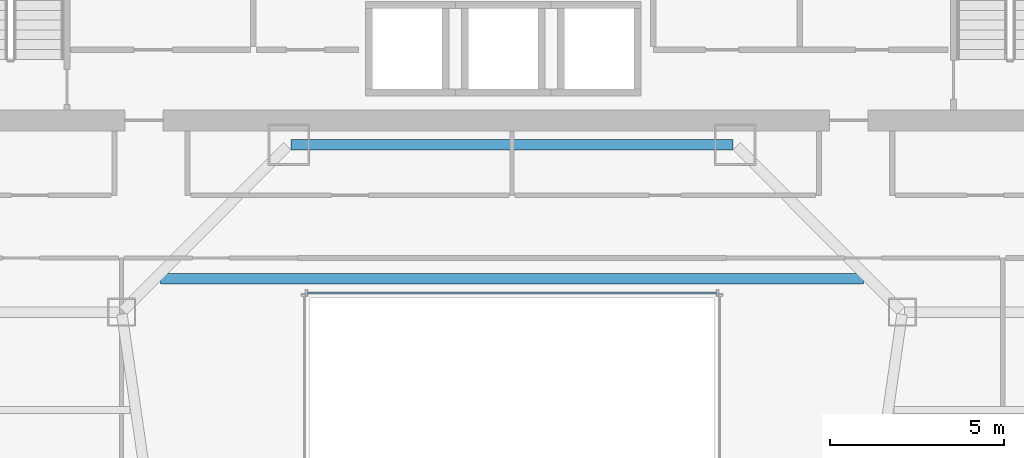
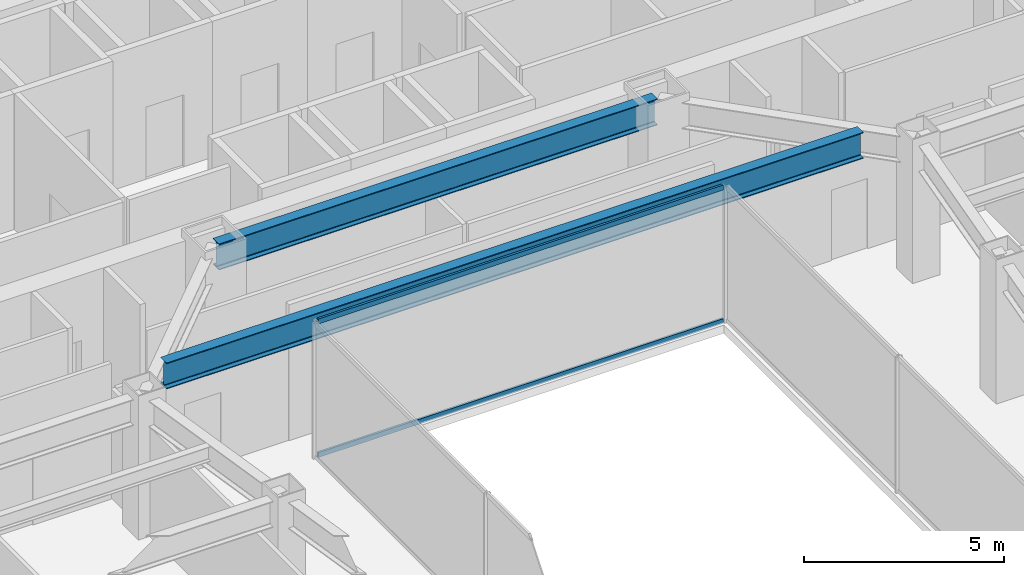
# One storey, part 25 of 47: 2 beams, 2 members, 1 element without a shape of its own.
"""IFC4 building model written with IfcOpenShell, lengths in metres."""

from ifc_helpers import new_model, si_unit, direction, frame, origin, origin_2d, place, context, subcontext, project, spatial, hollow_rectangle, i_section, extrude, material, material_profile, profile_set, type_object, element, aggregate, save


model = new_model("IFC4")

# Units and contexts
model_context = context("Model", 3, precision=1e-05, world=origin(), true_north=direction((0.0, 1.0)))
body_context = subcontext(model_context, "Body", "Model", "MODEL_VIEW")
ifc_project = project(units=[si_unit("LENGTHUNIT", "METRE"), si_unit("AREAUNIT", "SQUARE_METRE"), si_unit("VOLUMEUNIT", "CUBIC_METRE"), si_unit("PLANEANGLEUNIT", "RADIAN"), si_unit("MASSUNIT", "GRAM", prefix="KILO")], contexts=[model_context])

# Site, building, storey
site_placement = place(None, origin())
site = spatial("IfcSite", under=ifc_project, at=site_placement, CompositionType="ELEMENT")
building_placement = place(site_placement, origin())
building = spatial("IfcBuilding", under=site, at=building_placement, Name="Saevonmaru Cultural Tower", CompositionType="ELEMENT")
storey_placement = place(building_placement, frame((0.0, 0.0, 51.60009765625)))
storey = spatial("IfcBuildingStorey", under=building, at=storey_placement, Name="L10", CompositionType="ELEMENT", Elevation=51.60009765625)

# Beams
ifc_material_1 = material(Name="Steel SM420", Category="steel")
ifc_material_profile_1 = material_profile(ifc_material_1, i_section(OverallWidth=0.300048828125, OverallDepth=0.800048828125, WebThickness=0.013916015625, FlangeThickness=0.02587890625, FilletRadius=0.028076171875, at=origin_2d()), Name="H-800x300x14x26")
ifc_profile_set_1 = profile_set([ifc_material_profile_1], Name="Steel SM420")
beam_type = type_object("IfcBeamType", Name="BM-G-H800", PredefinedType="BEAM", material=ifc_profile_set_1)
beam_1_placement = place(storey_placement, frame((23.659912109375, 42.39990234375, 3.75), z_axis=(1.0, 0.0, 0.0), x_axis=(0.0, 1.0, 0.0)))
element("IfcBeam", 1, at=beam_1_placement, inside=storey, type_object=beam_type, Name="L10 Core South Girder 3", PredefinedType="BEAM", context=body_context, shape_type="SweptSolid", body=[
    extrude(i_section(OverallWidth=0.300048828125, OverallDepth=0.800048828125, WebThickness=0.013916015625, FlangeThickness=0.02587890625, FilletRadius=0.028076171875, at=origin_2d()), origin(), (0.0, 0.0, 1.0), 12.68017578125),
])
beam_2_placement = place(storey_placement, frame((19.92431640625, 38.56005859375, 3.75), z_axis=(1.0, 0.0, 0.0), x_axis=(0.0, 1.0, 0.0)))
element("IfcBeam", 2, at=beam_2_placement, inside=storey, type_object=beam_type, Name="L10 Central Link Girder", PredefinedType="BEAM", context=body_context, shape_type="SweptSolid", body=[
    extrude(i_section(OverallWidth=0.300048828125, OverallDepth=0.800048828125, WebThickness=0.013916015625, FlangeThickness=0.02587890625, FilletRadius=0.028076171875, at=origin_2d()), origin(), (0.0, 0.0, 1.0), 20.1513671875),
])

# Curtain wall, members
ifc_material_2 = material(Name="Satin Bronze Anodised Aluminium", Category="aluminium")
curtain_wall_type = type_object("IfcCurtainWallType", Name="CW-ATR-GLZ", PredefinedType="NOTDEFINED", material=ifc_material_2)
curtain_wall_placement = place(storey_placement, origin())
curtain_wall = element("IfcCurtainWall", 3, at=curtain_wall_placement, inside=storey, type_object=curtain_wall_type, Name="L10 Vertical Atrium Glazed Smoke Screen 3", PredefinedType="NOTDEFINED")
ifc_material_profile_2 = material_profile(ifc_material_2, hollow_rectangle(XDim=0.06494140625, YDim=0.14990234375, WallThickness=0.00390625, at=origin_2d()), Name="ALU-TRAN-150x65x4")
ifc_profile_set_2 = profile_set([ifc_material_profile_2], Name="Satin Bronze Anodised Aluminium")
member_type = type_object("IfcMemberType", Name="TR-CW-INT-150x65", PredefinedType="USERDEFINED", material=ifc_profile_set_2)
member_1_placement = place(storey_placement, frame((35.857421875, 38.14990234375, 0.032470703125), z_axis=(-1.0, 0.0, 0.0), x_axis=(0.0, -1.0, 0.0)))
member_1 = element("IfcMember", 4, at=member_1_placement, type_object=member_type, Name="CW-ATR-L10-3 transom 1.1", ObjectType="TRANSOM", PredefinedType="USERDEFINED", context=body_context, shape_type="SweptSolid", body=[
    extrude(hollow_rectangle(XDim=0.06494140625, YDim=0.14990234375, WallThickness=0.00390625, at=origin_2d()), origin(), (0.0, 0.0, 1.0), 11.71484375),
])
member_2_placement = place(storey_placement, frame((35.857421875, 38.14990234375, 4.117431640625), z_axis=(-1.0, 0.0, 0.0), x_axis=(0.0, -1.0, 0.0)))
member_2 = element("IfcMember", 5, at=member_2_placement, type_object=member_type, Name="CW-ATR-L10-3 transom 1.2", ObjectType="TRANSOM", PredefinedType="USERDEFINED", context=body_context, shape_type="SweptSolid", body=[
    extrude(hollow_rectangle(XDim=0.06494140625, YDim=0.14990234375, WallThickness=0.00390625, at=origin_2d()), origin(), (0.0, 0.0, 1.0), 11.71484375),
])
aggregate(curtain_wall, [member_1, member_2])

save(model, "model.ifc")
